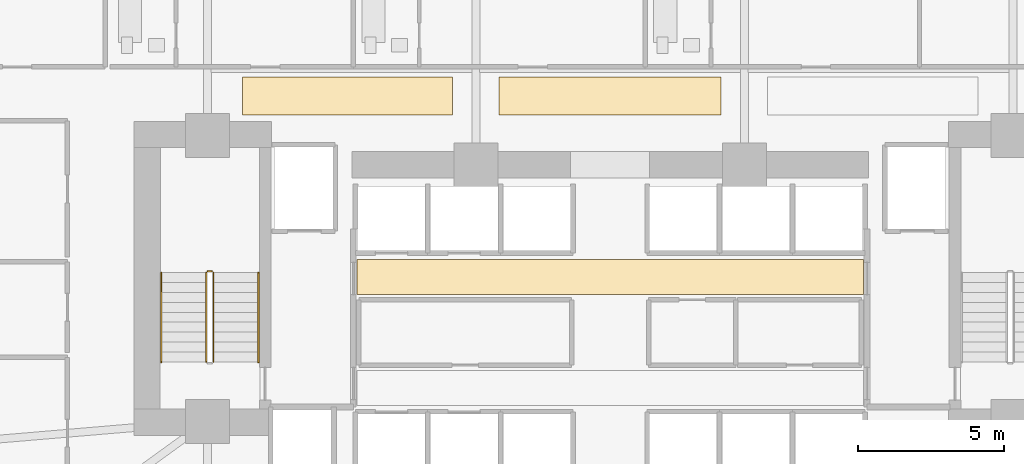
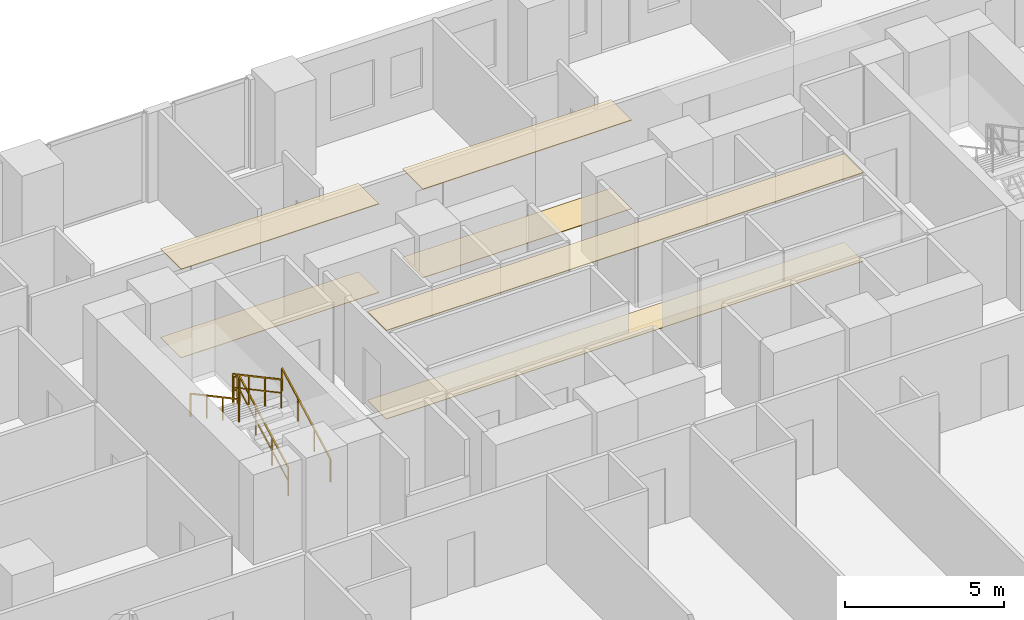
# One storey, part 26 of 29: 6 coverings, 5 railings.
"""IFC4 building model written with IfcOpenShell, lengths in metres."""

from ifc_helpers import new_model, si_unit, direction, frame, origin, origin_2d, place, context, subcontext, project, spatial, polyline, rectangle, outline, extrude, material, layer, layer_set, type_object, element, save


model = new_model("IFC4")

# Units and contexts
model_context = context("Model", 3, precision=1e-05, world=origin(), true_north=direction((0.0, 1.0)))
body_context = subcontext(model_context, "Body", "Model", "MODEL_VIEW")
ifc_project = project(units=[si_unit("LENGTHUNIT", "METRE"), si_unit("AREAUNIT", "SQUARE_METRE"), si_unit("VOLUMEUNIT", "CUBIC_METRE"), si_unit("PLANEANGLEUNIT", "RADIAN"), si_unit("MASSUNIT", "GRAM", prefix="KILO")], contexts=[model_context])

# Site, building, storey
site_placement = place(None, origin())
site = spatial("IfcSite", under=ifc_project, at=site_placement, CompositionType="ELEMENT")
building_placement = place(site_placement, origin())
building = spatial("IfcBuilding", under=site, at=building_placement, Name="Zuhayl Quay Hotel", CompositionType="ELEMENT")
storey_placement = place(building_placement, frame((0.0, 0.0, 45.85009765625)))
storey = spatial("IfcBuildingStorey", under=building, at=storey_placement, Name="L10", CompositionType="ELEMENT", Elevation=45.85009765625)

# Coverings
ifc_material_1 = material(Name="Acoustic Mineral-Fibre Gypsum Board")
ifc_layer_1 = layer(ifc_material_1, 0.02490234375, Name="Acoustic Mineral-Fibre Gypsum Board")
ifc_layer_set_1 = layer_set([ifc_layer_1], Name="Acoustic Mineral-Fibre Gypsum Board")
covering_type_1 = type_object("IfcCoveringType", Name="CV_CEIL_ACOUSTIC", PredefinedType="CEILING", material=ifc_layer_set_1)
covering_1_placement = place(storey_placement, frame((0.0, 0.0, 3.40478515625)))
element("IfcCovering", 1, at=covering_1_placement, inside=storey, type_object=covering_type_1, Name="L10 Suspended Acoustic Lobby Ceiling N", PredefinedType="CEILING", context=body_context, shape_type="SweptSolid", body=[
    extrude(outline(polyline([(-8.679931640625, 8.89990234375), (8.679931640625, 8.89990234375), (8.679931640625, 10.10009765625), (-8.679931640625, 10.10009765625), (-8.679931640625, 8.89990234375)])), origin(), (0.0, 0.0, 1.0), 0.025146484375),
])
covering_2_placement = place(storey_placement, frame((0.0, 0.0, 3.40478515625)))
element("IfcCovering", 2, at=covering_2_placement, inside=storey, type_object=covering_type_1, Name="L10 Guest Corridor Acoustic Ceiling CW", PredefinedType="CEILING", context=body_context, shape_type="SweptSolid", body=[
    extrude(outline(polyline([(-12.60009765625, 15.050048828125), (-5.39990234375, 15.050048828125), (-5.39990234375, 16.35009765625), (-12.60009765625, 16.35009765625), (-12.60009765625, 15.050048828125)])), origin(), (0.0, 0.0, 1.0), 0.025146484375),
])
covering_3_placement = place(storey_placement, frame((0.0, 0.0, 3.40478515625)))
element("IfcCovering", 3, at=covering_3_placement, inside=storey, type_object=covering_type_1, Name="L10 Guest Corridor Acoustic Ceiling CC", PredefinedType="CEILING", context=body_context, shape_type="SweptSolid", body=[
    extrude(outline(polyline([(-3.800048828125, 15.050048828125), (3.800048828125, 15.050048828125), (3.800048828125, 16.35009765625), (-3.800048828125, 16.35009765625), (-3.800048828125, 15.050048828125)])), origin(), (0.0, 0.0, 1.0), 0.025146484375),
])
ifc_material_2 = material(Name="Polished Limestone Terrazzo", Category="masonry")
ifc_layer_2 = layer(ifc_material_2, 0.02001953125, Name="Polished Limestone Terrazzo", Category="masonry")
ifc_layer_set_2 = layer_set([ifc_layer_2], Name="Polished Limestone Terrazzo")
covering_type_2 = type_object("IfcCoveringType", Name="CV_FLOOR_TERRAZZO", PredefinedType="FLOORING", material=ifc_layer_set_2)
covering_4_placement = place(storey_placement, origin())
element("IfcCovering", 4, at=covering_4_placement, inside=storey, type_object=covering_type_2, Name="L10 Honed Limestone Terrazzo Lobby Flooring N", PredefinedType="FLOORING", context=body_context, shape_type="SweptSolid", body=[
    extrude(outline(polyline([(-8.679931640625, 8.89990234375), (8.679931640625, 8.89990234375), (8.679931640625, 10.10009765625), (-8.679931640625, 10.10009765625), (-8.679931640625, 8.89990234375)])), origin(), (0.0, 0.0, 1.0), 0.02001953125),
])
covering_5_placement = place(storey_placement, origin())
element("IfcCovering", 5, at=covering_5_placement, inside=storey, type_object=covering_type_2, Name="L10 Guest Corridor Terrazzo Runner CW", PredefinedType="FLOORING", context=body_context, shape_type="SweptSolid", body=[
    extrude(outline(polyline([(-12.60009765625, 15.050048828125), (-5.39990234375, 15.050048828125), (-5.39990234375, 16.35009765625), (-12.60009765625, 16.35009765625), (-12.60009765625, 15.050048828125)])), origin(), (0.0, 0.0, 1.0), 0.02001953125),
])
covering_6_placement = place(storey_placement, origin())
element("IfcCovering", 6, at=covering_6_placement, inside=storey, type_object=covering_type_2, Name="L10 Guest Corridor Terrazzo Runner CC", PredefinedType="FLOORING", context=body_context, shape_type="SweptSolid", body=[
    extrude(outline(polyline([(-3.800048828125, 15.050048828125), (3.800048828125, 15.050048828125), (3.800048828125, 16.35009765625), (-3.800048828125, 16.35009765625), (-3.800048828125, 15.050048828125)])), origin(), (0.0, 0.0, 1.0), 0.02001953125),
])

# Railings
ifc_material_3 = material(Name="Steel ASTM A992 Grade 50", Category="steel")
railing_type_1 = type_object("IfcRailingType", Name="RL_GUARD_1100", PredefinedType="GUARDRAIL", material=ifc_material_3)
railing_1_placement = place(storey_placement, frame((-13.590087890625, 6.590087890625, 0.182373046875)))
element("IfcRailing", 7, at=railing_1_placement, inside=storey, type_object=railing_type_1, Name="L10 ST1 stair guard 1", PredefinedType="GUARDRAIL", context=body_context, shape_type="SweptSolid", body=[
    extrude(rectangle(XDim=0.048095703125, YDim=0.048095703125, at=origin_2d()), frame((0.0, 0.0, 1.09619140625), z_axis=(0.0, 0.88107310026, 0.472980117973), x_axis=(-1.0, 0.0, 0.0)), (0.0, 0.0, 1.0), 3.472900390625),
    extrude(rectangle(XDim=0.0361328125, YDim=0.0361328125, at=origin_2d()), frame((0.0, 0.0, 0.58251953125), z_axis=(0.0, 0.88107310026, 0.472980117973), x_axis=(-1.0, 0.0, 0.0)), (0.0, 0.0, 1.0), 3.472900390625),
    extrude(rectangle(XDim=0.0419921875, YDim=0.0419921875, at=origin_2d()), origin(), (0.0, 0.0, 1.0), 1.072021484375),
    extrude(rectangle(XDim=0.0419921875, YDim=0.0419921875, at=origin_2d()), frame((0.0, 1.02001953125, 0.547607421875)), (0.0, 0.0, 1.0), 1.072021484375),
    extrude(rectangle(XDim=0.0419921875, YDim=0.0419921875, at=origin_2d()), frame((0.0, 2.039794921875, 1.094970703125)), (0.0, 0.0, 1.0), 1.072021484375),
    extrude(rectangle(XDim=0.0419921875, YDim=0.0419921875, at=origin_2d()), frame((0.0, 3.059814453125, 1.642578125)), (0.0, 0.0, 1.0), 1.072021484375),
])
railing_2_placement = place(storey_placement, frame((-13.639892578125, 9.699951171875, 1.824951171875)))
element("IfcRailing", 8, at=railing_2_placement, inside=storey, type_object=railing_type_1, Name="L10 ST1 stair guard 2", PredefinedType="GUARDRAIL", context=body_context, shape_type="SweptSolid", body=[
    extrude(rectangle(XDim=0.048095703125, YDim=0.048095703125, at=origin_2d()), frame((0.0, 0.0, 1.09619140625), z_axis=(-1.0, 0.0, 0.0), x_axis=(0.0, -1.0, 0.0)), (0.0, 0.0, 1.0), 0.150146484375),
    extrude(rectangle(XDim=0.0361328125, YDim=0.0361328125, at=origin_2d()), frame((0.0, 0.0, 0.58251953125), z_axis=(-1.0, 0.0, 0.0), x_axis=(0.0, -1.0, 0.0)), (0.0, 0.0, 1.0), 0.150146484375),
    extrude(rectangle(XDim=0.0419921875, YDim=0.0419921875, at=origin_2d()), origin(), (0.0, 0.0, 1.0), 1.072021484375),
    extrude(rectangle(XDim=0.0419921875, YDim=0.0419921875, at=origin_2d()), frame((-0.150146484375, 0.0, 0.0)), (0.0, 0.0, 1.0), 1.072021484375),
])
railing_3_placement = place(storey_placement, frame((-13.840087890625, 9.64990234375, 2.00732421875)))
element("IfcRailing", 9, at=railing_3_placement, inside=storey, type_object=railing_type_1, Name="L10 ST1 stair guard 3", PredefinedType="GUARDRAIL", context=body_context, shape_type="SweptSolid", body=[
    extrude(rectangle(XDim=0.048095703125, YDim=0.048095703125, at=origin_2d()), frame((0.0, 0.0, 1.09619140625), z_axis=(0.0, -0.88107310026, 0.472980117973), x_axis=(1.0, 0.0, 0.0)), (0.0, 0.0, 1.0), 3.472900390625),
    extrude(rectangle(XDim=0.0361328125, YDim=0.0361328125, at=origin_2d()), frame((0.0, 0.0, 0.58251953125), z_axis=(0.0, -0.88107310026, 0.472980117973), x_axis=(1.0, 0.0, 0.0)), (0.0, 0.0, 1.0), 3.472900390625),
    extrude(rectangle(XDim=0.0419921875, YDim=0.0419921875, at=origin_2d()), origin(), (0.0, 0.0, 1.0), 1.072021484375),
    extrude(rectangle(XDim=0.0419921875, YDim=0.0419921875, at=origin_2d()), frame((0.0, -1.02001953125, 0.547607421875)), (0.0, 0.0, 1.0), 1.072021484375),
    extrude(rectangle(XDim=0.0419921875, YDim=0.0419921875, at=origin_2d()), frame((0.0, -2.039794921875, 1.094970703125)), (0.0, 0.0, 1.0), 1.072021484375),
    extrude(rectangle(XDim=0.0419921875, YDim=0.0419921875, at=origin_2d()), frame((0.0, -3.059814453125, 1.642578125)), (0.0, 0.0, 1.0), 1.072021484375),
])
railing_type_2 = type_object("IfcRailingType", Name="RL_HANDRAIL_920", PredefinedType="HANDRAIL", material=ifc_material_3)
railing_4_placement = place(storey_placement, frame((-12.050048828125, 6.590087890625, 0.182373046875)))
element("IfcRailing", 10, at=railing_4_placement, inside=storey, type_object=railing_type_2, Name="L10 ST1 stair handrail 1", PredefinedType="HANDRAIL", context=body_context, shape_type="SweptSolid", body=[
    extrude(rectangle(XDim=0.048095703125, YDim=0.048095703125, at=origin_2d()), frame((0.0, 0.0, 0.8759765625), z_axis=(0.0, 0.88107310026, 0.472980117973), x_axis=(-1.0, 0.0, 0.0)), (0.0, 0.0, 1.0), 3.472900390625),
    extrude(rectangle(XDim=0.0419921875, YDim=0.0419921875, at=origin_2d()), origin(), (0.0, 0.0, 1.0), 0.851806640625),
    extrude(rectangle(XDim=0.0419921875, YDim=0.0419921875, at=origin_2d()), frame((0.0, 1.02001953125, 0.547607421875)), (0.0, 0.0, 1.0), 0.851806640625),
    extrude(rectangle(XDim=0.0419921875, YDim=0.0419921875, at=origin_2d()), frame((0.0, 2.039794921875, 1.094970703125)), (0.0, 0.0, 1.0), 0.851806640625),
    extrude(rectangle(XDim=0.0419921875, YDim=0.0419921875, at=origin_2d()), frame((0.0, 3.059814453125, 1.642578125)), (0.0, 0.0, 1.0), 0.851806640625),
])
railing_5_placement = place(storey_placement, frame((-15.3798828125, 9.64990234375, 2.00732421875)))
element("IfcRailing", 11, at=railing_5_placement, inside=storey, type_object=railing_type_2, Name="L10 ST1 stair handrail 2", PredefinedType="HANDRAIL", context=body_context, shape_type="SweptSolid", body=[
    extrude(rectangle(XDim=0.048095703125, YDim=0.048095703125, at=origin_2d()), frame((0.0, 0.0, 0.8759765625), z_axis=(0.0, -0.88107310026, 0.472980117973), x_axis=(1.0, 0.0, 0.0)), (0.0, 0.0, 1.0), 3.472900390625),
    extrude(rectangle(XDim=0.0419921875, YDim=0.0419921875, at=origin_2d()), origin(), (0.0, 0.0, 1.0), 0.851806640625),
    extrude(rectangle(XDim=0.0419921875, YDim=0.0419921875, at=origin_2d()), frame((0.0, -1.02001953125, 0.547607421875)), (0.0, 0.0, 1.0), 0.851806640625),
    extrude(rectangle(XDim=0.0419921875, YDim=0.0419921875, at=origin_2d()), frame((0.0, -2.039794921875, 1.094970703125)), (0.0, 0.0, 1.0), 0.851806640625),
    extrude(rectangle(XDim=0.0419921875, YDim=0.0419921875, at=origin_2d()), frame((0.0, -3.059814453125, 1.642578125)), (0.0, 0.0, 1.0), 0.851806640625),
])

save(model, "model.ifc")
